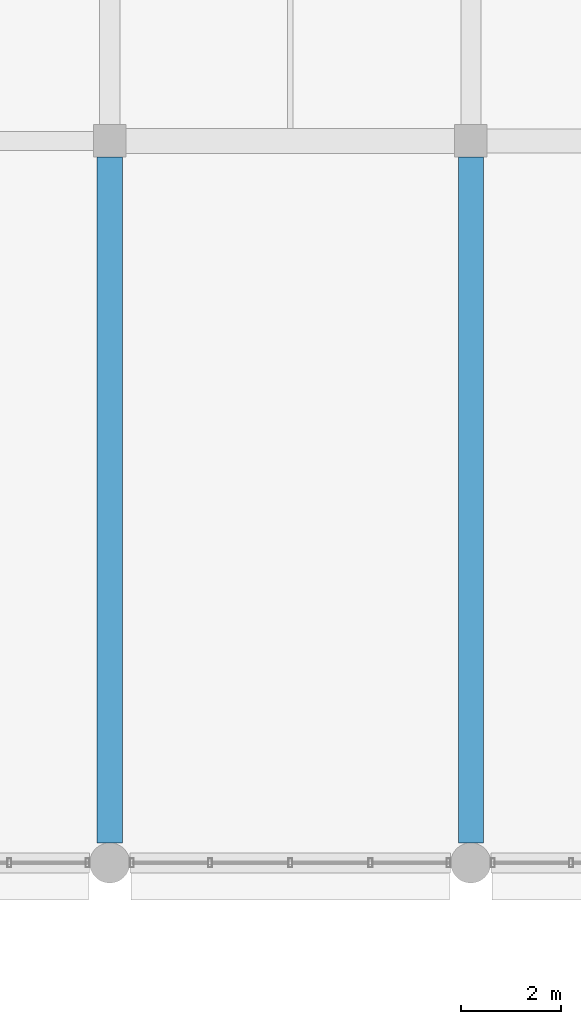
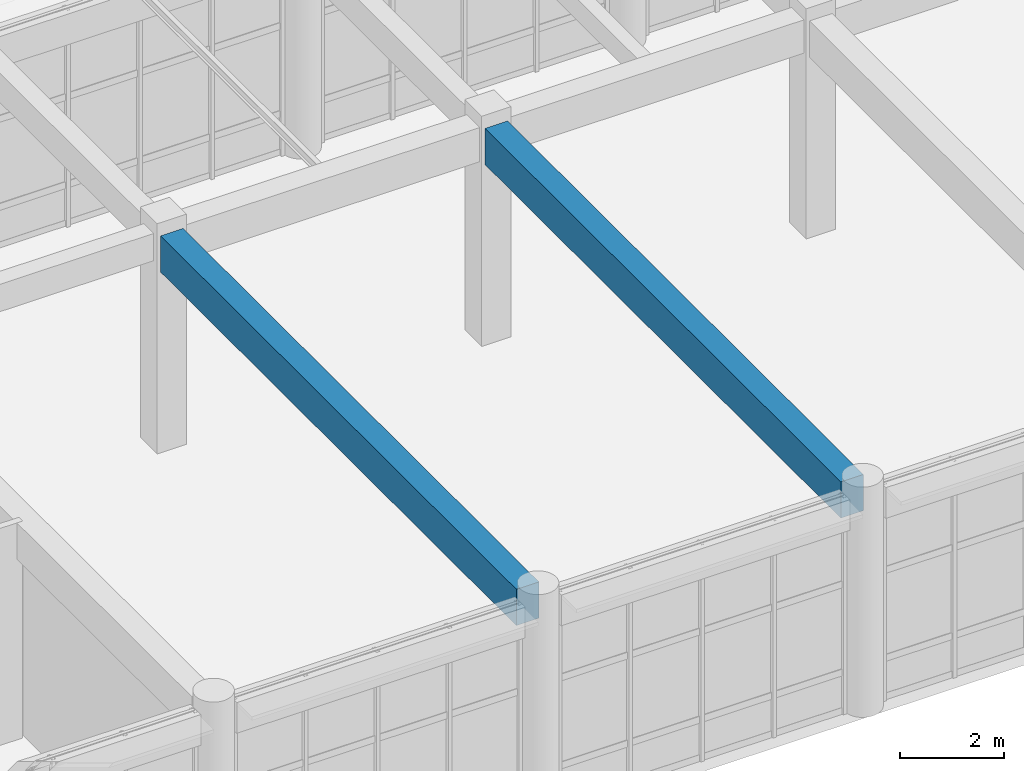
# One storey, part 35 of 160: 2 beams.
"""IFC4 building model written with IfcOpenShell, lengths in metres."""

from ifc_helpers import new_model, si_unit, direction, frame, origin, origin_2d, place, context, subcontext, project, spatial, rectangle, extrude, material, material_profile, profile_set, type_object, element, save


model = new_model("IFC4")

# Units and contexts
model_context = context("Model", 3, precision=1e-05, world=origin(), true_north=direction((0.0, 1.0)))
body_context = subcontext(model_context, "Body", "Model", "MODEL_VIEW")
ifc_project = project(units=[si_unit("LENGTHUNIT", "METRE"), si_unit("AREAUNIT", "SQUARE_METRE"), si_unit("VOLUMEUNIT", "CUBIC_METRE"), si_unit("PLANEANGLEUNIT", "RADIAN"), si_unit("MASSUNIT", "GRAM", prefix="KILO")], contexts=[model_context])

# Site, building, storey
site_placement = place(None, origin())
site = spatial("IfcSite", under=ifc_project, at=site_placement, CompositionType="ELEMENT")
building_placement = place(site_placement, origin())
building = spatial("IfcBuilding", under=site, at=building_placement, Name="Thalmaran Polytechnic", CompositionType="ELEMENT")
storey_placement = place(building_placement, origin())
storey = spatial("IfcBuildingStorey", under=building, at=storey_placement, Name="L00", CompositionType="ELEMENT", Elevation=0.0)

# Beams
ifc_material = material(Name="Concrete C40/50", Category="concrete")
ifc_material_profile = material_profile(ifc_material, rectangle(XDim=0.5, YDim=0.85009765625, at=origin_2d()), Name="RC 500x850")
ifc_profile_set = profile_set([ifc_material_profile], Name="Concrete C40/50")
beam_type = type_object("IfcBeamType", Name="BM-RC01", PredefinedType="BEAM", material=ifc_profile_set)
for number, where, z_axis, x_axis, name in (
    (1, (64.800048828125, 50.800048828125, 4.6650390625), (0.0, 1.0, 0.0), (-1.0, 0.0, 0.0), "Refectory Clear-Span Girder G09"),
    (2, (72.0, 50.800048828125, 4.6650390625), (0.0, 1.0, 0.0), (-1.0, 0.0, 0.0), "Refectory Clear-Span Girder G10"),
):
    element("IfcBeam", number, at=place(storey_placement, frame(where, z_axis=z_axis, x_axis=x_axis)), inside=storey, type_object=beam_type, Name=name, PredefinedType="BEAM", context=body_context, shape_type="SweptSolid", body=[
        extrude(rectangle(XDim=0.5, YDim=0.85009765625, at=origin_2d()), origin(), (0.0, 0.0, 1.0), 13.675048828125),
    ])

save(model, "model.ifc")
